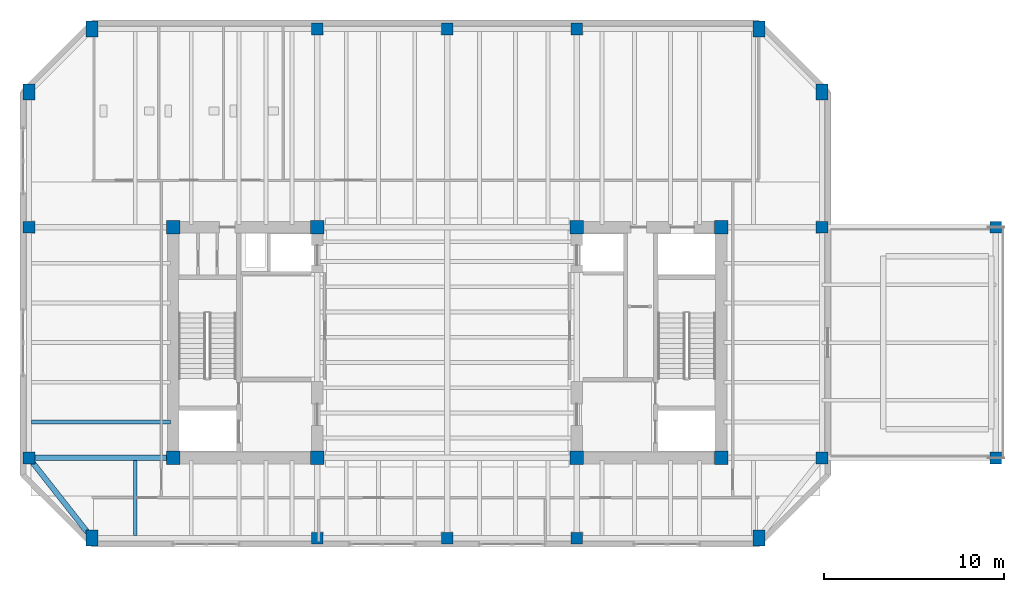
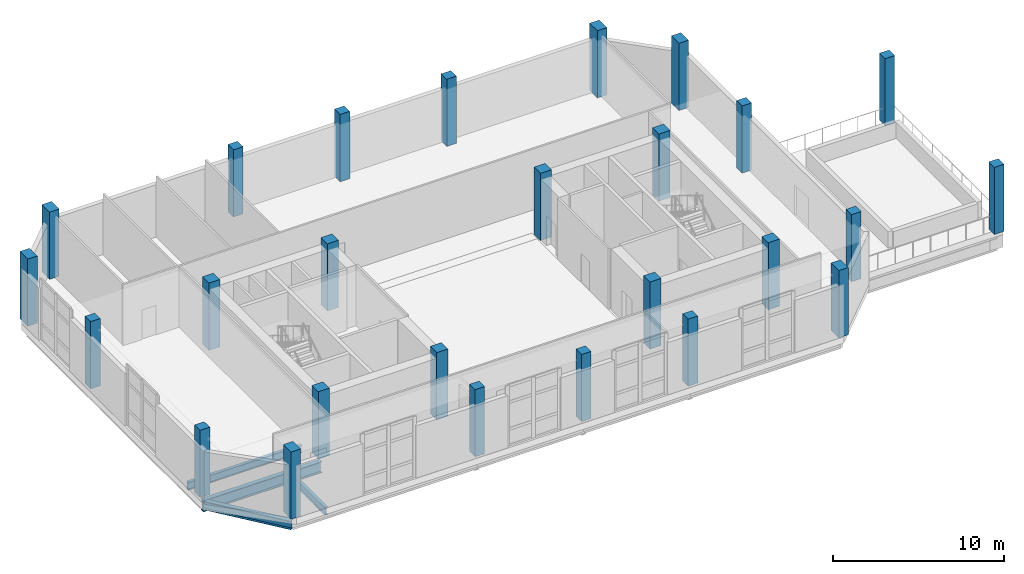
# One storey, part 1 of 11: 26 columns, 4 beams.
"""IFC4 building model written with IfcOpenShell, lengths in metres."""

from ifc_helpers import new_model, si_unit, direction, frame, origin, origin_2d, place, context, subcontext, project, spatial, rectangle, i_section, extrude, material, material_profile, profile_set, type_object, element, save


model = new_model("IFC4")

# Units and contexts
model_context = context("Model", 3, precision=1e-05, world=origin(), true_north=direction((0.0, 1.0)))
body_context = subcontext(model_context, "Body", "Model", "MODEL_VIEW")
ifc_project = project(units=[si_unit("LENGTHUNIT", "METRE"), si_unit("AREAUNIT", "SQUARE_METRE"), si_unit("VOLUMEUNIT", "CUBIC_METRE"), si_unit("PLANEANGLEUNIT", "RADIAN"), si_unit("MASSUNIT", "GRAM", prefix="KILO")], contexts=[model_context])

# Site, building, storey
site_placement = place(None, origin())
site = spatial("IfcSite", under=ifc_project, at=site_placement, CompositionType="ELEMENT")
building_placement = place(site_placement, origin())
building = spatial("IfcBuilding", under=site, at=building_placement, Name="Kranthara Brick Stack", CompositionType="ELEMENT")
storey_placement = place(building_placement, frame((0.0, 0.0, 287.39990234375)))
storey = spatial("IfcBuildingStorey", under=building, at=storey_placement, Name="L76", CompositionType="ELEMENT", Elevation=287.39990234375)

# Columns
ifc_material_1 = material(Name="Concrete C50/60", Category="concrete")
ifc_material_profile_1 = material_profile(ifc_material_1, rectangle(XDim=0.64990234375, YDim=0.89990234375, at=origin_2d()), Name="RC 650x900")
ifc_profile_set_1 = profile_set([ifc_material_profile_1], Name="Concrete C50/60")
column_type_1 = type_object("IfcColumnType", Name="COL-CHAM-650x900", PredefinedType="COLUMN", material=ifc_profile_set_1)
for number, where, z_axis, x_axis, name in (
    (1, (8.300048828125, 16.35009765625, 0.0), (0.0, 0.0, 1.0), (1.0, 0.0, 0.0), "L76 Column 09"),
    (2, (8.300048828125, 44.60009765625, 0.0), (0.0, 0.0, 1.0), (1.0, 0.0, 0.0), "L76 Column 10"),
    (3, (45.300048828125, 16.35009765625, 0.0), (0.0, 0.0, 1.0), (1.0, 0.0, 0.0), "L76 Column 17"),
    (4, (45.300048828125, 44.60009765625, 0.0), (0.0, 0.0, 1.0), (1.0, 0.0, 0.0), "L76 Column 18"),
    (5, (4.800048828125, 41.10009765625, 0.0), (0.0, 0.0, 1.0), (1.0, 0.0, 0.0), "L76 Column 23"),
    (6, (48.800048828125, 41.10009765625, 0.0), (0.0, 0.0, 1.0), (1.0, 0.0, 0.0), "L76 Column 24"),
):
    element("IfcColumn", number, at=place(storey_placement, frame(where, z_axis=z_axis, x_axis=x_axis)), inside=storey, type_object=column_type_1, Name=name, PredefinedType="COLUMN", context=body_context, shape_type="SweptSolid", body=[
        extrude(rectangle(XDim=0.64990234375, YDim=0.89990234375, at=origin_2d()), origin(), (0.0, 0.0, 1.0), 4.800048828125),
    ])
ifc_material_2 = material(Name="Concrete C50/60", Category="concrete")
ifc_material_profile_2 = material_profile(ifc_material_2, rectangle(XDim=0.75, YDim=0.75, at=origin_2d()), Name="RC 750x750")
ifc_profile_set_2 = profile_set([ifc_material_profile_2], Name="Concrete C50/60")
column_type_2 = type_object("IfcColumnType", Name="COL-CORE-750", PredefinedType="COLUMN", material=ifc_profile_set_2)
for number, where, z_axis, x_axis, name in (
    (7, (12.800048828125, 20.800048828125, 0.0), (0.0, 0.0, 1.0), (1.0, 0.0, 0.0), "L76 Column 01"),
    (8, (20.800048828125, 20.800048828125, 0.0), (0.0, 0.0, 1.0), (1.0, 0.0, 0.0), "L76 Column 02"),
    (9, (12.800048828125, 33.60009765625, 0.0), (0.0, 0.0, 1.0), (1.0, 0.0, 0.0), "L76 Column 03"),
    (10, (20.800048828125, 33.60009765625, 0.0), (0.0, 0.0, 1.0), (1.0, 0.0, 0.0), "L76 Column 04"),
    (11, (35.199951171875, 20.800048828125, 0.0), (0.0, 0.0, 1.0), (1.0, 0.0, 0.0), "L76 Column 05"),
    (12, (43.199951171875, 20.800048828125, 0.0), (0.0, 0.0, 1.0), (1.0, 0.0, 0.0), "L76 Column 06"),
    (13, (35.199951171875, 33.60009765625, 0.0), (0.0, 0.0, 1.0), (1.0, 0.0, 0.0), "L76 Column 07"),
    (14, (43.199951171875, 33.60009765625, 0.0), (0.0, 0.0, 1.0), (1.0, 0.0, 0.0), "L76 Column 08"),
):
    element("IfcColumn", number, at=place(storey_placement, frame(where, z_axis=z_axis, x_axis=x_axis)), inside=storey, type_object=column_type_2, Name=name, PredefinedType="COLUMN", context=body_context, shape_type="SweptSolid", body=[
        extrude(rectangle(XDim=0.75, YDim=0.75, at=origin_2d()), origin(), (0.0, 0.0, 1.0), 4.800048828125),
    ])
ifc_material_3 = material(Name="Concrete C50/60", Category="concrete")
ifc_material_profile_3 = material_profile(ifc_material_3, rectangle(XDim=0.64990234375, YDim=0.64990234375, at=origin_2d()), Name="RC 650x650")
ifc_profile_set_3 = profile_set([ifc_material_profile_3], Name="Concrete C50/60")
column_type_3 = type_object("IfcColumnType", Name="COL-PER-650", PredefinedType="COLUMN", material=ifc_profile_set_3)
for number, where, z_axis, x_axis, name in (
    (15, (20.800048828125, 16.35009765625, 0.0), (0.0, 0.0, 1.0), (1.0, 0.0, 0.0), "L76 Column 11"),
    (16, (20.800048828125, 44.60009765625, 0.0), (0.0, 0.0, 1.0), (1.0, 0.0, 0.0), "L76 Column 12"),
    (17, (28.0, 16.35009765625, 0.0), (0.0, 0.0, 1.0), (1.0, 0.0, 0.0), "L76 Column 13"),
    (18, (28.0, 44.60009765625, 0.0), (0.0, 0.0, 1.0), (1.0, 0.0, 0.0), "L76 Column 14"),
    (19, (35.199951171875, 16.35009765625, 0.0), (0.0, 0.0, 1.0), (1.0, 0.0, 0.0), "L76 Column 15"),
    (20, (35.199951171875, 44.60009765625, 0.0), (0.0, 0.0, 1.0), (1.0, 0.0, 0.0), "L76 Column 16"),
    (21, (4.800048828125, 20.800048828125, 0.0), (0.0, 0.0, 1.0), (1.0, 0.0, 0.0), "L76 Column 19"),
    (22, (48.800048828125, 20.800048828125, 0.0), (0.0, 0.0, 1.0), (1.0, 0.0, 0.0), "L76 Column 20"),
    (23, (4.800048828125, 33.60009765625, 0.0), (0.0, 0.0, 1.0), (1.0, 0.0, 0.0), "L76 Column 21"),
    (24, (48.800048828125, 33.60009765625, 0.0), (0.0, 0.0, 1.0), (1.0, 0.0, 0.0), "L76 Column 22"),
    (25, (58.449951171875, 20.800048828125, 0.0), (0.0, 0.0, 1.0), (1.0, 0.0, 0.0), "L76 Column 25"),
    (26, (58.449951171875, 33.60009765625, 0.0), (0.0, 0.0, 1.0), (1.0, 0.0, 0.0), "L76 Column 26"),
):
    element("IfcColumn", number, at=place(storey_placement, frame(where, z_axis=z_axis, x_axis=x_axis)), inside=storey, type_object=column_type_3, Name=name, PredefinedType="COLUMN", context=body_context, shape_type="SweptSolid", body=[
        extrude(rectangle(XDim=0.64990234375, YDim=0.64990234375, at=origin_2d()), origin(), (0.0, 0.0, 1.0), 4.800048828125),
    ])

# Beams
ifc_material_4 = material(Name="Steel S355", Category="steel")
ifc_material_profile_4 = material_profile(ifc_material_4, i_section(OverallWidth=0.2099609375, OverallDepth=0.550048828125, WebThickness=0.010986328125, FlangeThickness=0.01708984375, at=origin_2d()), Name="IPE 550")
ifc_profile_set_4 = profile_set([ifc_material_profile_4], Name="Steel S355")
beam_type_1 = type_object("IfcBeamType", Name="BM-JST-IPE550", PredefinedType="JOIST", material=ifc_profile_set_4)
beam_1_placement = place(storey_placement, frame((10.699951171875, 16.5, -0.724853515625), z_axis=(0.0, 1.0, 0.0), x_axis=(-1.0, 0.0, 0.0)))
element("IfcBeam", 27, at=beam_1_placement, inside=storey, type_object=beam_type_1, Name="L76 South Wing Floor Joist 050", PredefinedType="JOIST", context=body_context, shape_type="SweptSolid", body=[
    extrude(i_section(OverallWidth=0.2099609375, OverallDepth=0.550048828125, WebThickness=0.010986328125, FlangeThickness=0.01708984375, at=origin_2d()), origin(), (0.0, 0.0, 1.0), 4.14990234375),
])
beam_2_placement = place(storey_placement, frame((4.949951171875, 22.800048828125, -0.724853515625), z_axis=(1.0, 0.0, 0.0), x_axis=(0.0, 1.0, 0.0)))
element("IfcBeam", 28, at=beam_2_placement, inside=storey, type_object=beam_type_1, Name="L76 West Wing Floor Joist 082", PredefinedType="JOIST", context=body_context, shape_type="SweptSolid", body=[
    extrude(i_section(OverallWidth=0.2099609375, OverallDepth=0.550048828125, WebThickness=0.010986328125, FlangeThickness=0.01708984375, at=origin_2d()), origin(), (0.0, 0.0, 1.0), 7.699951171875),
])
ifc_material_5 = material(Name="Steel S355", Category="steel")
ifc_material_profile_5 = material_profile(ifc_material_5, i_section(OverallWidth=0.300048828125, OverallDepth=0.60009765625, WebThickness=0.015380859375, FlangeThickness=0.030029296875, at=origin_2d()), Name="HEB 600")
ifc_profile_set_5 = profile_set([ifc_material_profile_5], Name="Steel S355")
beam_type_2 = type_object("IfcBeamType", Name="BM-STL-HEB600", PredefinedType="BEAM", material=ifc_profile_set_5)
beam_3_placement = place(storey_placement, frame((8.300048828125, 16.35009765625, -0.75), z_axis=(-0.618215705636, 0.78600848679, 0.0), x_axis=(-0.78600848679, -0.618215705636, 0.0)))
element("IfcBeam", 29, at=beam_3_placement, inside=storey, type_object=beam_type_2, Name="L76 Chamfer Corner Spandrel 017", PredefinedType="BEAM", context=body_context, shape_type="SweptSolid", body=[
    extrude(i_section(OverallWidth=0.300048828125, OverallDepth=0.60009765625, WebThickness=0.015380859375, FlangeThickness=0.030029296875, at=origin_2d()), origin(), (0.0, 0.0, 1.0), 5.661376953125),
])
ifc_material_6 = material(Name="Steel S355", Category="steel")
ifc_material_profile_6 = material_profile(ifc_material_6, i_section(OverallWidth=0.300048828125, OverallDepth=0.800048828125, WebThickness=0.017578125, FlangeThickness=0.032958984375, at=origin_2d()), Name="HEB 800")
ifc_profile_set_6 = profile_set([ifc_material_profile_6], Name="Steel S355")
beam_type_3 = type_object("IfcBeamType", Name="BM-TR-HEB800", PredefinedType="BEAM", material=ifc_profile_set_6)
beam_4_placement = place(storey_placement, frame((4.800048828125, 20.800048828125, -0.849853515625), z_axis=(1.0, 0.0, 0.0), x_axis=(0.0, 1.0, 0.0)))
element("IfcBeam", 30, at=beam_4_placement, inside=storey, type_object=beam_type_3, Name="L76 Primary Grid Girder 028", PredefinedType="BEAM", context=body_context, shape_type="SweptSolid", body=[
    extrude(i_section(OverallWidth=0.300048828125, OverallDepth=0.800048828125, WebThickness=0.017578125, FlangeThickness=0.032958984375, at=origin_2d()), origin(), (0.0, 0.0, 1.0), 8.0),
])

save(model, "model.ifc")
